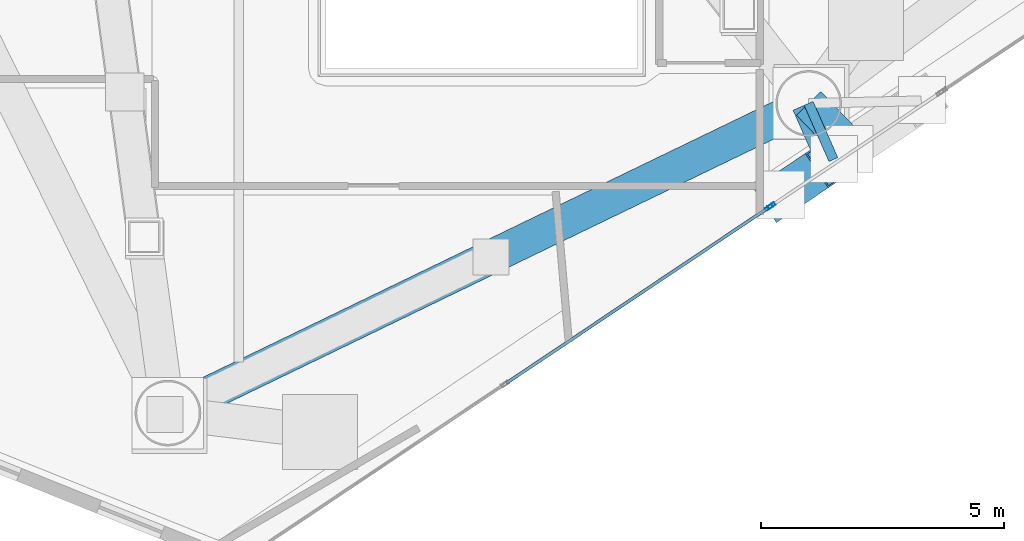
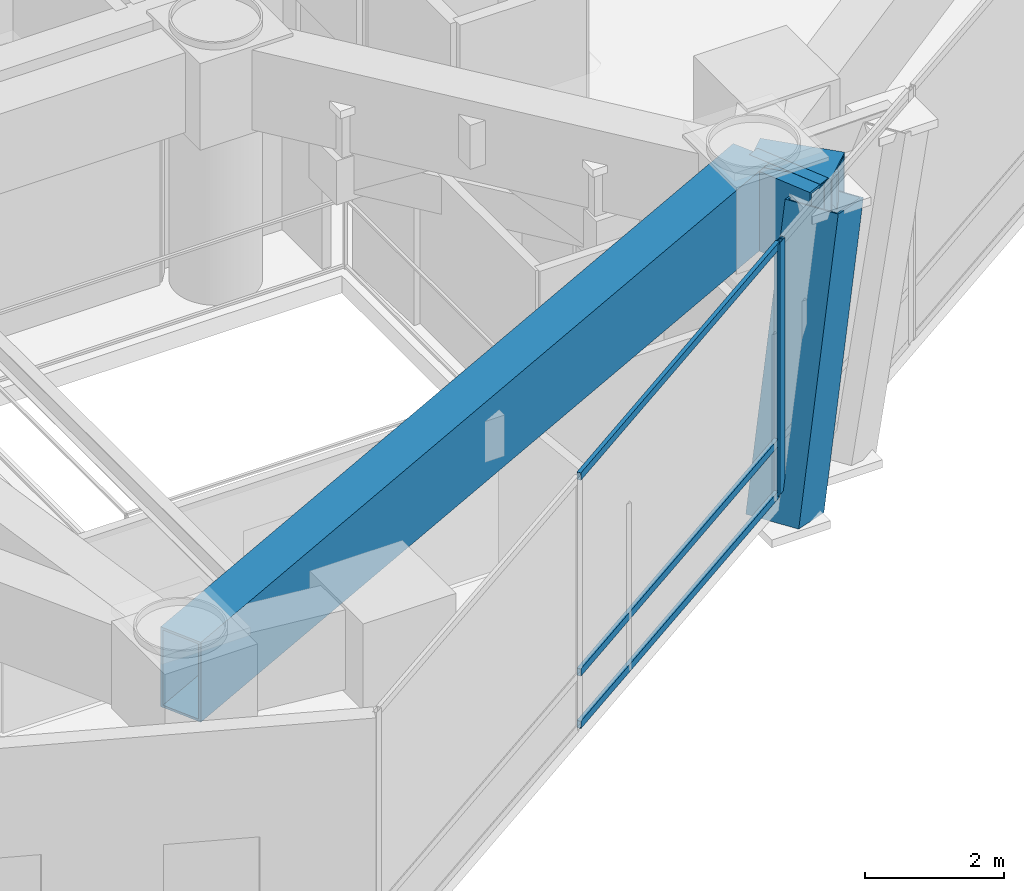
# One storey, part 5 of 22: 6 members, 4 beams, 2 elements without a shape of their own.
"""IFC4 building model written with IfcOpenShell, lengths in metres."""

from ifc_helpers import new_model, si_unit, direction, frame, origin, origin_2d, place, context, subcontext, project, spatial, hollow_rectangle, i_section, extrude, material, layer, layer_set, material_profile, profile_set, type_object, element, aggregate, save


model = new_model("IFC4")

# Units and contexts
model_context = context("Model", 3, precision=1e-05, world=origin(), true_north=direction((0.0, 1.0)))
body_context = subcontext(model_context, "Body", "Model", "MODEL_VIEW")
ifc_project = project(units=[si_unit("LENGTHUNIT", "METRE"), si_unit("AREAUNIT", "SQUARE_METRE"), si_unit("VOLUMEUNIT", "CUBIC_METRE"), si_unit("PLANEANGLEUNIT", "RADIAN"), si_unit("MASSUNIT", "GRAM", prefix="KILO")], contexts=[model_context])

# Site, building, storey
site_placement = place(None, origin())
site = spatial("IfcSite", under=ifc_project, at=site_placement, CompositionType="ELEMENT")
building_placement = place(site_placement, origin())
building = spatial("IfcBuilding", under=site, at=building_placement, Name="Qianvela Tower", CompositionType="ELEMENT")
storey_placement = place(building_placement, frame((0.0, 0.0, 184.60009765625)))
storey = spatial("IfcBuildingStorey", under=building, at=storey_placement, Name="L47", CompositionType="ELEMENT", Elevation=184.60009765625)

# Beams
ifc_material_1 = material(Name="Steel Q355B", Category="steel")
ifc_material_profile_1 = material_profile(ifc_material_1, i_section(OverallWidth=0.199951171875, OverallDepth=0.60009765625, WebThickness=0.010986328125, FlangeThickness=0.01708984375, at=origin_2d()), Name="HN600x200x11x17")
ifc_profile_set_1 = profile_set([ifc_material_profile_1], Name="Steel Q355B")
beam_type_1 = type_object("IfcBeamType", Name="BM-HN600-GIRD", PredefinedType="BEAM", material=ifc_profile_set_1)
beam_1_placement = place(storey_placement, frame((43.52490234375, 17.279052734375, 4.117919921875), z_axis=(0.402926415852, -0.915232376727, 0.0), x_axis=(0.915232376727, 0.402926415852, 0.0)))
element("IfcBeam", 1, at=beam_1_placement, inside=storey, type_object=beam_type_1, Name="L47 Mega-Brace Column Tie Bracket F3-1", PredefinedType="BEAM", context=body_context, shape_type="SweptSolid", body=[
    extrude(i_section(OverallWidth=0.199951171875, OverallDepth=0.60009765625, WebThickness=0.010986328125, FlangeThickness=0.01708984375, at=origin_2d()), origin(), (0.0, 0.0, 1.0), 1.263427734375),
])
ifc_material_2 = material(Name="Steel Q420GJC", Category="steel")
ifc_material_profile_2 = material_profile(ifc_material_2, hollow_rectangle(XDim=0.699951171875, YDim=1.39990234375, WallThickness=0.0400390625, at=origin_2d()), Name="TG-BOX-1400x700x40")
ifc_profile_set_2 = profile_set([ifc_material_profile_2], Name="Steel Q420GJC")
beam_type_2 = type_object("IfcBeamType", Name="BM-TG-RAD-1400", PredefinedType="BEAM", material=ifc_profile_set_2)
beam_2_placement = place(storey_placement, frame((30.346923828125, 10.908935546875, 3.718017578125), z_axis=(0.900328583727, 0.435210801019, 0.0), x_axis=(-0.435210801019, 0.900328583727, 0.0)))
element("IfcBeam", 2, at=beam_2_placement, inside=storey, type_object=beam_type_2, Name="L47 Perimeter Belt-Truss Top Ring Girder 5", PredefinedType="BEAM", context=body_context, shape_type="SweptSolid", body=[
    extrude(hollow_rectangle(XDim=0.699951171875, YDim=1.39990234375, WallThickness=0.0400390625, at=origin_2d()), origin(), (0.0, 0.0, 1.0), 14.636962890625),
])
ifc_material_3 = material(Name="Steel Q420GJC", Category="steel")
ifc_material_profile_3 = material_profile(ifc_material_3, hollow_rectangle(XDim=0.699951171875, YDim=1.39990234375, WallThickness=0.0400390625, at=origin_2d()), Name="TG-BOX-1400x700x40")
ifc_profile_set_3 = profile_set([ifc_material_profile_3], Name="Steel Q420GJC")
beam_type_3 = type_object("IfcBeamType", Name="BM-TG-STEP-1400", PredefinedType="BEAM", material=ifc_profile_set_3)
beam_3_placement = place(storey_placement, frame((43.52490234375, 17.279052734375, 3.71484375), z_axis=(0.402926415852, -0.915232376727, 0.0), x_axis=(0.915232376727, 0.402926415852, 0.0)))
element("IfcBeam", 3, at=beam_3_placement, inside=storey, type_object=beam_type_3, Name="L47 Mega-Brace Zone Base Bracket F3-1", PredefinedType="BEAM", context=body_context, shape_type="SweptSolid", body=[
    extrude(hollow_rectangle(XDim=0.699951171875, YDim=1.39990234375, WallThickness=0.0400390625, at=origin_2d()), origin(), (0.0, 0.0, 1.0), 1.263427734375),
])
beam_4_placement = place(storey_placement, frame((43.52490234375, 17.279052734375, 3.71484375), z_axis=(0.692463434549, -0.721452972696, 0.0), x_axis=(0.721452972696, 0.692463434549, 0.0)))
element("IfcBeam", 4, at=beam_4_placement, inside=storey, type_object=beam_type_3, Name="L47 Mega-Brace Zone Base Bracket F3-2", PredefinedType="BEAM", context=body_context, shape_type="SweptSolid", body=[
    extrude(hollow_rectangle(XDim=0.699951171875, YDim=1.39990234375, WallThickness=0.0400390625, at=origin_2d()), origin(), (0.0, 0.0, 1.0), 1.26318359375),
])

# Curtain wall, member
ifc_material_4 = material(Name="Anodised Architectural Aluminium and Insulated Spandrel Panel", Category="aluminium")
ifc_layer_1 = layer(ifc_material_4, 0.179931640625)
ifc_layer_set_1 = layer_set([ifc_layer_1], Name="Anodised Architectural Aluminium and Insulated Spandrel Panel")
curtain_wall_type_1 = type_object("IfcCurtainWallType", Name="CW-BRACEBAY", PredefinedType="USERDEFINED", material=ifc_layer_set_1)
curtain_wall_1_placement = place(storey_placement, origin())
curtain_wall_1 = element("IfcCurtainWall", 5, at=curtain_wall_1_placement, inside=storey, type_object=curtain_wall_type_1, Name="L47 CW-BRACEBAY Curtain Wall 06B", ObjectType="CURTAIN_WALL_SYSTEM", PredefinedType="USERDEFINED")
ifc_material_5 = material(Name="Anodised Architectural Aluminium 6063-T6", Category="aluminium")
ifc_material_profile_4 = material_profile(ifc_material_5, hollow_rectangle(XDim=0.06494140625, YDim=0.159912109375, WallThickness=0.0048828125, at=origin_2d()), Name="ALU-MULL-65x160")
ifc_profile_set_4 = profile_set([ifc_material_profile_4], Name="Anodised Architectural Aluminium 6063-T6")
member_type_1 = type_object("IfcMemberType", Name="CW-BRACEBAY-MULL", PredefinedType="MULLION", material=ifc_profile_set_4)
member_1_placement = place(storey_placement, frame((42.76318359375, 15.176025390625, 0.0), z_axis=(0.0, 0.0, 1.0), x_axis=(-0.556196014843, 0.83105113746, 0.0)))
member_1 = element("IfcMember", 6, at=member_1_placement, type_object=member_type_1, Name="CW-9 mullion 1", PredefinedType="MULLION", context=body_context, shape_type="SweptSolid", body=[
    extrude(hollow_rectangle(XDim=0.06494140625, YDim=0.159912109375, WallThickness=0.0048828125, at=origin_2d()), origin(), (0.0, 0.0, 1.0), 4.419921875),
])
aggregate(curtain_wall_1, [member_1])

# Curtain wall, members
ifc_material_6 = material(Name="Anodised Architectural Aluminium and Low-E Glass", Category="aluminium")
ifc_layer_2 = layer(ifc_material_6, 0.169921875)
ifc_layer_set_2 = layer_set([ifc_layer_2], Name="Anodised Architectural Aluminium and Low-E Glass")
curtain_wall_type_2 = type_object("IfcCurtainWallType", Name="CW-COLIV-Z34", PredefinedType="USERDEFINED", material=ifc_layer_set_2)
curtain_wall_2_placement = place(storey_placement, origin())
curtain_wall_2 = element("IfcCurtainWall", 7, at=curtain_wall_2_placement, inside=storey, type_object=curtain_wall_type_2, Name="L47 CW-COLIV-Z34 Curtain Wall 06A", ObjectType="CURTAIN_WALL_SYSTEM", PredefinedType="USERDEFINED")
ifc_material_7 = material(Name="Anodised Architectural Aluminium 6063-T6", Category="aluminium")
ifc_material_profile_5 = material_profile(ifc_material_7, hollow_rectangle(XDim=0.06494140625, YDim=0.159912109375, WallThickness=0.0048828125, at=origin_2d()), Name="ALU-MULL-65x160")
ifc_profile_set_5 = profile_set([ifc_material_profile_5], Name="Anodised Architectural Aluminium 6063-T6")
member_type_2 = type_object("IfcMemberType", Name="CW-COLIV-Z34-MULL", PredefinedType="MULLION", material=ifc_profile_set_5)
member_2_placement = place(storey_placement, frame((42.708984375, 15.139892578125, 0.0), z_axis=(0.0, 0.0, 1.0), x_axis=(-0.556193242014, 0.831052993219, 0.0)))
member_2 = element("IfcMember", 8, at=member_2_placement, type_object=member_type_2, Name="CW-4 mullion 3", PredefinedType="MULLION", context=body_context, shape_type="SweptSolid", body=[
    extrude(hollow_rectangle(XDim=0.06494140625, YDim=0.159912109375, WallThickness=0.0048828125, at=origin_2d()), origin(), (0.0, 0.0, 1.0), 4.419921875),
])
ifc_material_8 = material(Name="Anodised Architectural Aluminium 6063-T6", Category="aluminium")
ifc_material_profile_6 = material_profile(ifc_material_8, hollow_rectangle(XDim=0.06494140625, YDim=0.1298828125, WallThickness=0.00439453125, at=origin_2d()), Name="ALU-TRAN-65x130")
ifc_profile_set_6 = profile_set([ifc_material_profile_6], Name="Anodised Architectural Aluminium 6063-T6")
member_type_3 = type_object("IfcMemberType", Name="CW-COLIV-Z34-TRAN", PredefinedType="USERDEFINED", material=ifc_profile_set_6)
member_3_placement = place(storey_placement, frame((37.307373046875, 11.524658203125, 0.032470703125), z_axis=(0.831050041623, 0.556197652204, 0.0), x_axis=(-0.556197652204, 0.831050041623, 0.0)))
member_3 = element("IfcMember", 9, at=member_3_placement, type_object=member_type_3, Name="CW-4 transom 2.1", ObjectType="TRANSOM", PredefinedType="USERDEFINED", context=body_context, shape_type="SweptSolid", body=[
    extrude(hollow_rectangle(XDim=0.06494140625, YDim=0.1298828125, WallThickness=0.00439453125, at=origin_2d()), origin(), (0.0, 0.0, 1.0), 6.467529296875),
])
member_4_placement = place(storey_placement, frame((37.307373046875, 11.524658203125, 0.949951171875), z_axis=(0.831050041623, 0.556197652204, 0.0), x_axis=(-0.556197652204, 0.831050041623, 0.0)))
member_4 = element("IfcMember", 10, at=member_4_placement, type_object=member_type_3, Name="CW-4 transom 2.2", ObjectType="TRANSOM", PredefinedType="USERDEFINED", context=body_context, shape_type="SweptSolid", body=[
    extrude(hollow_rectangle(XDim=0.06494140625, YDim=0.1298828125, WallThickness=0.00439453125, at=origin_2d()), origin(), (0.0, 0.0, 1.0), 6.467529296875),
])
member_5_placement = place(storey_placement, frame((37.307373046875, 11.524658203125, 4.387451171875), z_axis=(0.831050041623, 0.556197652204, 0.0), x_axis=(-0.556197652204, 0.831050041623, 0.0)))
member_5 = element("IfcMember", 11, at=member_5_placement, type_object=member_type_3, Name="CW-4 transom 2.3", ObjectType="TRANSOM", PredefinedType="USERDEFINED", context=body_context, shape_type="SweptSolid", body=[
    extrude(hollow_rectangle(XDim=0.06494140625, YDim=0.1298828125, WallThickness=0.00439453125, at=origin_2d()), origin(), (0.0, 0.0, 1.0), 6.467529296875),
])
aggregate(curtain_wall_2, [member_2, member_3, member_4, member_5])

# Member
ifc_material_9 = material(Name="Steel Q420GJC", Category="steel")
ifc_material_profile_7 = material_profile(ifc_material_9, hollow_rectangle(XDim=0.85009765625, YDim=0.85009765625, WallThickness=0.031982421875, at=origin_2d()), Name="MBOX-850x850x32")
ifc_profile_set_7 = profile_set([ifc_material_profile_7], Name="Steel Q420GJC")
member_type_4 = type_object("IfcMemberType", Name="MBR-MBRACE-850", PredefinedType="BRACE", material=ifc_profile_set_7)
member_6_placement = place(storey_placement, frame((42.966796875, 15.40869140625, -0.60205078125), z_axis=(0.218161431022, 0.145989976147, 0.964931353454), x_axis=(-0.556147313802, 0.831083729446, 0.0)))
element("IfcMember", 12, at=member_6_placement, inside=storey, type_object=member_type_4, Name="L47 Tier 8 Exterior Mega-Brace F3A", PredefinedType="BRACE", context=body_context, shape_type="SweptSolid", body=[
    extrude(hollow_rectangle(XDim=0.85009765625, YDim=0.85009765625, WallThickness=0.031982421875, at=origin_2d()), origin(), (0.0, 0.0, 1.0), 4.8916015625),
])

save(model, "model.ifc")
